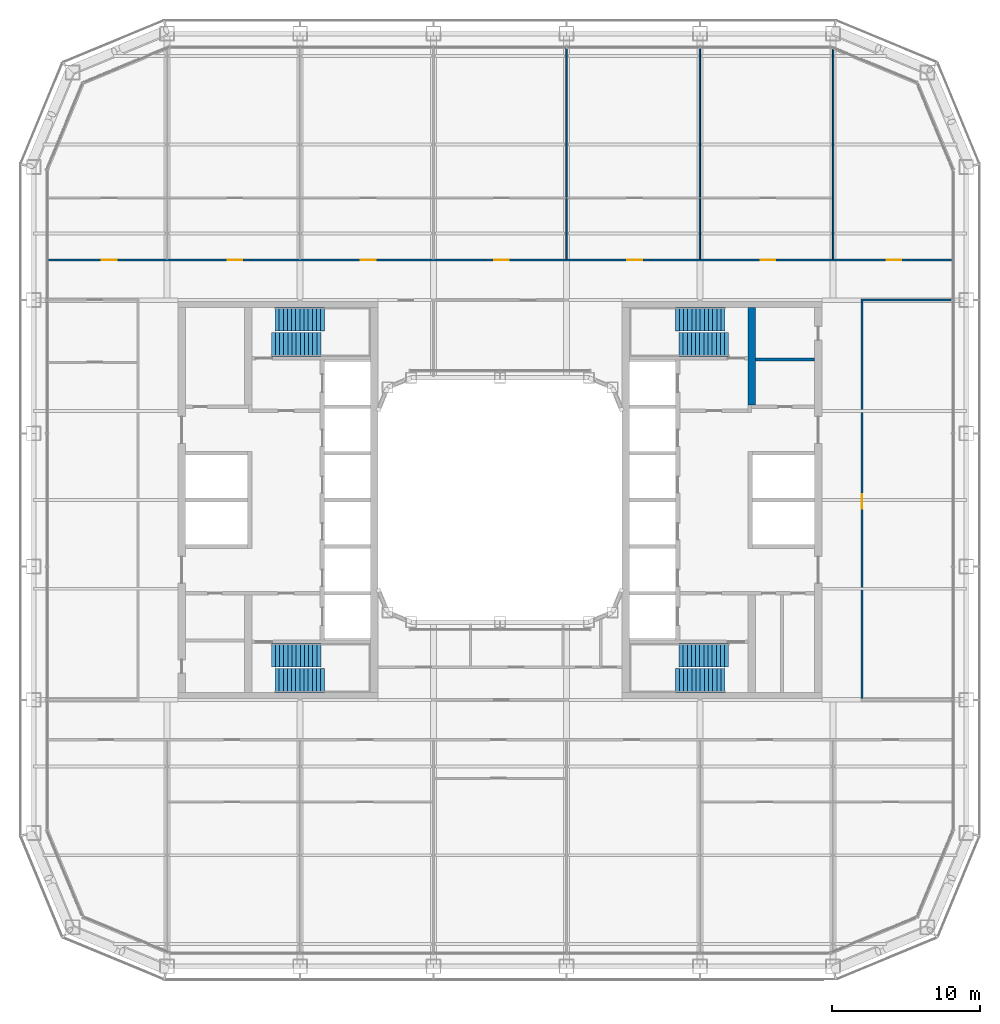
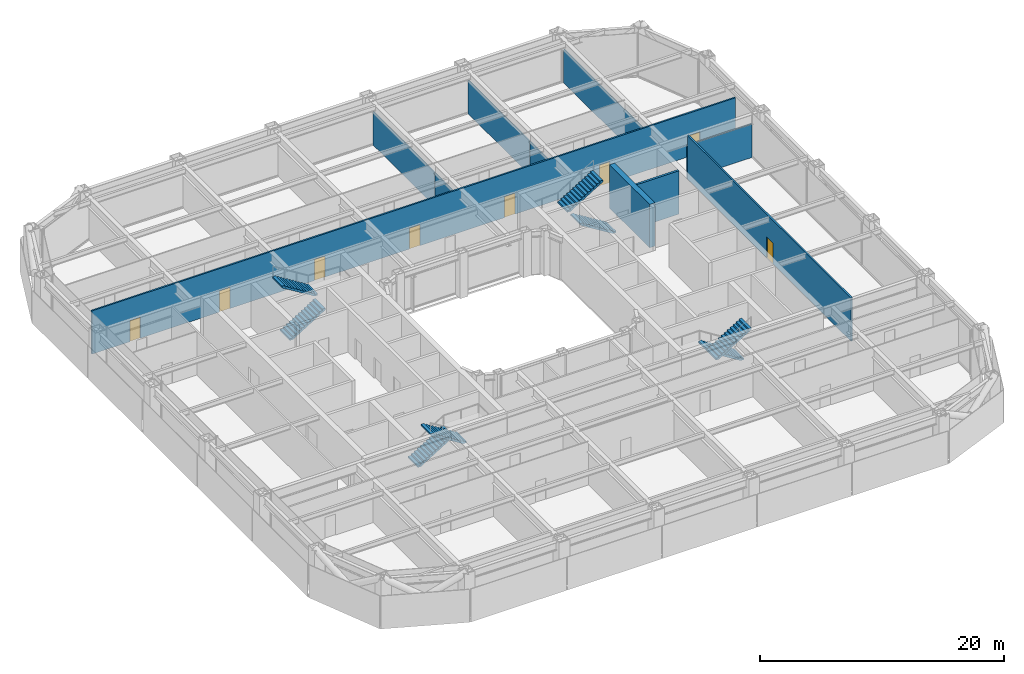
# One storey, part 15 of 24: 10 walls, 8 doors, 8 stair flights, 8 openings, 4 elements without a shape of their own.
"""IFC4 building model written with IfcOpenShell, lengths in metres."""

from ifc_helpers import new_model, si_unit, direction, frame, frame_2d, origin, place, context, subcontext, project, spatial, polyline, rectangle, outline, extrude, material, layer, layer_set, type_object, element, fill, aggregate, save


model = new_model("IFC4")

# Units and contexts
model_context = context("Model", 3, precision=1e-05, world=origin(), true_north=direction((0.0, 1.0)))
body_context = subcontext(model_context, "Body", "Model", "MODEL_VIEW")
ifc_project = project(units=[si_unit("LENGTHUNIT", "METRE"), si_unit("AREAUNIT", "SQUARE_METRE"), si_unit("VOLUMEUNIT", "CUBIC_METRE"), si_unit("PLANEANGLEUNIT", "RADIAN"), si_unit("MASSUNIT", "GRAM", prefix="KILO")], contexts=[model_context])

# Site, building, storey
site_placement = place(None, origin())
site = spatial("IfcSite", under=ifc_project, at=site_placement, CompositionType="ELEMENT")
building_placement = place(site_placement, origin())
building = spatial("IfcBuilding", under=site, at=building_placement, Name="Siwar Civic Tower", CompositionType="ELEMENT")
storey_placement = place(building_placement, frame((0.0, 0.0, 76.199951171875)))
storey = spatial("IfcBuildingStorey", under=building, at=storey_placement, Name="L16", CompositionType="ELEMENT", Elevation=76.199951171875)

# Walls
ifc_material_1 = material(Name="Gypsum board on steel studs", Category="steel")
ifc_layer_1 = layer(ifc_material_1, 0.199951171875)
ifc_layer_set_1 = layer_set([ifc_layer_1], Name="Gypsum board on steel studs")
wall_type_1 = type_object("IfcWallType", Name="CORE-PARTITION-200", PredefinedType="PARTITIONING", material=ifc_layer_set_1)
wall_1_placement = place(storey_placement, frame((17.25, 9.5, 0.0), z_axis=(0.0, 0.0, 1.0), x_axis=(1.0, 0.0, 0.0)))
element("IfcWall", 1, at=wall_1_placement, inside=storey, type_object=wall_type_1, Name="Core partition E", PredefinedType="PARTITIONING", context=body_context, shape_type="SweptSolid", body=[
    extrude(rectangle(XDim=4.0, YDim=0.199951171875, at=frame_2d((2.0, 0.0))), origin(), (0.0, 0.0, 1.0), 4.35009765625),
])
ifc_material_2 = material(Name="Concrete C60/75", Category="concrete")
ifc_layer_2 = layer(ifc_material_2, 0.5)
ifc_layer_set_2 = layer_set([ifc_layer_2], Name="Concrete C60/75")
wall_type_2 = type_object("IfcWallType", Name="CORE-WALL-RC500", PredefinedType="SHEAR", material=ifc_layer_set_2)
wall_2_placement = place(storey_placement, frame((17.0, 6.425048828125, 0.0), z_axis=(0.0, 0.0, 1.0), x_axis=(0.0, 1.0, 0.0)))
element("IfcWall", 2, at=wall_2_placement, inside=storey, type_object=wall_type_2, Name="Core wall E", PredefinedType="SHEAR", context=body_context, shape_type="SweptSolid", body=[
    extrude(rectangle(XDim=6.574951171875, YDim=0.5, at=frame_2d((3.28759765625, 0.0))), origin(), (0.0, 0.0, 1.0), 4.35009765625),
])
ifc_material_3 = material(Name="Gypsum board on steel studs", Category="steel")
ifc_layer_3 = layer(ifc_material_3, 0.14990234375)
ifc_layer_set_3 = layer_set([ifc_layer_3], Name="Gypsum board on steel studs")
wall_type_3 = type_object("IfcWallType", Name="CORRIDOR PARTITION 150 EI 30", PredefinedType="PARTITIONING", material=ifc_layer_set_3)
wall_3_placement = place(storey_placement, frame((24.375, 13.5, 0.0), z_axis=(0.0, 0.0, 1.0), x_axis=(1.0, 0.0, 0.0)))
element("IfcWall", 3, at=wall_3_placement, inside=storey, type_object=wall_type_3, Name="L16/wall/P13", PredefinedType="PARTITIONING", context=body_context, shape_type="SweptSolid", body=[
    extrude(rectangle(XDim=6.135009765625, YDim=0.14990234375, at=frame_2d((3.0673828125, 0.0))), origin(), (0.0, 0.0, 1.0), 3.35009765625),
])

# Wall, openings, doors
wall_4_placement = place(storey_placement, frame((-30.510009765625, 16.199951171875, 0.0), z_axis=(0.0, 0.0, 1.0), x_axis=(1.0, 0.0, 0.0)))
wall_4 = element("IfcWall", 4, at=wall_4_placement, inside=storey, type_object=wall_type_3, Name="L16/wall/P14", PredefinedType="PARTITIONING", context=body_context, shape_type="SweptSolid", body=[
    extrude(rectangle(XDim=61.02001953125, YDim=0.14990234375, at=frame_2d((30.510009765625, 0.0))), origin(), (0.0, 0.0, 1.0), 4.35009765625),
])
opening_1_placement = place(wall_4_placement, frame((12.110107421875, 0.0, 0.0)))
opening_1 = element("IfcOpeningElement", 5, at=opening_1_placement, cuts=wall_4, Name="Opening D1", PredefinedType="OPENING", context=body_context, shape_type="SweptSolid", body=[
    extrude(rectangle(XDim=1.0, YDim=2.10009765625, at=frame_2d((0.5, 1.050048828125))), frame((0.0, 0.0849609375, 0.0), z_axis=(0.0, -1.0, 0.0), x_axis=(1.0, 0.0, 0.0)), (0.0, 0.0, 1.0), 0.169921875),
])
opening_2_placement = place(wall_4_placement, frame((21.110107421875, 0.0, 0.0)))
opening_2 = element("IfcOpeningElement", 6, at=opening_2_placement, cuts=wall_4, Name="Opening D1", PredefinedType="OPENING", context=body_context, shape_type="SweptSolid", body=[
    extrude(rectangle(XDim=1.0, YDim=2.10009765625, at=frame_2d((0.5, 1.050048828125))), frame((0.0, 0.0849609375, 0.0), z_axis=(0.0, -1.0, 0.0), x_axis=(1.0, 0.0, 0.0)), (0.0, 0.0, 1.0), 0.169921875),
])
opening_3_placement = place(wall_4_placement, frame((30.110107421875, 0.0, 0.0)))
opening_3 = element("IfcOpeningElement", 7, at=opening_3_placement, cuts=wall_4, Name="Opening D1", PredefinedType="OPENING", context=body_context, shape_type="SweptSolid", body=[
    extrude(rectangle(XDim=1.0, YDim=2.10009765625, at=frame_2d((0.5, 1.050048828125))), frame((0.0, 0.0849609375, 0.0), z_axis=(0.0, -1.0, 0.0), x_axis=(1.0, 0.0, 0.0)), (0.0, 0.0, 1.0), 0.169921875),
])
opening_4_placement = place(wall_4_placement, frame((39.110107421875, 0.0, 0.0)))
opening_4 = element("IfcOpeningElement", 8, at=opening_4_placement, cuts=wall_4, Name="Opening D1", PredefinedType="OPENING", context=body_context, shape_type="SweptSolid", body=[
    extrude(rectangle(XDim=1.0, YDim=2.10009765625, at=frame_2d((0.5, 1.050048828125))), frame((0.0, 0.0849609375, 0.0), z_axis=(0.0, -1.0, 0.0), x_axis=(1.0, 0.0, 0.0)), (0.0, 0.0, 1.0), 0.169921875),
])
opening_5_placement = place(wall_4_placement, frame((48.110107421875, 0.0, 0.0)))
opening_5 = element("IfcOpeningElement", 9, at=opening_5_placement, cuts=wall_4, Name="Opening D1", PredefinedType="OPENING", context=body_context, shape_type="SweptSolid", body=[
    extrude(rectangle(XDim=1.0, YDim=2.10009765625, at=frame_2d((0.5, 1.050048828125))), frame((0.0, 0.0849609375, 0.0), z_axis=(0.0, -1.0, 0.0), x_axis=(1.0, 0.0, 0.0)), (0.0, 0.0, 1.0), 0.169921875),
])
opening_6_placement = place(wall_4_placement, frame((3.610107421875, 0.0, 0.0)))
opening_6 = element("IfcOpeningElement", 10, at=opening_6_placement, cuts=wall_4, Name="Opening D1", PredefinedType="OPENING", context=body_context, shape_type="SweptSolid", body=[
    extrude(rectangle(XDim=1.0, YDim=2.10009765625, at=frame_2d((0.5, 1.050048828125))), frame((0.0, 0.0849609375, 0.0), z_axis=(0.0, -1.0, 0.0), x_axis=(1.0, 0.0, 0.0)), (0.0, 0.0, 1.0), 0.169921875),
])
opening_7_placement = place(wall_4_placement, frame((56.6201171875, 0.0, 0.0)))
opening_7 = element("IfcOpeningElement", 11, at=opening_7_placement, cuts=wall_4, Name="Opening D1", PredefinedType="OPENING", context=body_context, shape_type="SweptSolid", body=[
    extrude(rectangle(XDim=1.0, YDim=2.10009765625, at=frame_2d((0.5, 1.050048828125))), frame((0.0, 0.0849609375, 0.0), z_axis=(0.0, -1.0, 0.0), x_axis=(1.0, 0.0, 0.0)), (0.0, 0.0, 1.0), 0.169921875),
])
ifc_material_4 = material(Name="Timber, painted", Category="wood")
door_type = type_object("IfcDoorType", Name="DOOR 1000 X 2100 FD30", OperationType="SINGLE_SWING_LEFT", PredefinedType="DOOR", material=ifc_material_4)
door_1_placement = place(opening_1_placement, origin())
door_1 = element("IfcDoor", 12, at=door_1_placement, inside=storey, type_object=door_type, Name="L16-D01", OperationType="SINGLE_SWING_LEFT", OverallHeight=2.10009765625, OverallWidth=1.0, PredefinedType="DOOR", context=body_context, shape_type="SweptSolid", body=[
    extrude(rectangle(XDim=1.0, YDim=2.10009765625, at=frame_2d((0.5, 1.050048828125))), frame((0.0, 0.02490234375, 0.0), z_axis=(0.0, -1.0, 0.0), x_axis=(1.0, 0.0, 0.0)), (0.0, 0.0, 1.0), 0.050048828125),
])
fill(opening_1, door_1)
door_2_placement = place(opening_2_placement, origin())
door_2 = element("IfcDoor", 13, at=door_2_placement, inside=storey, type_object=door_type, Name="L16-D03", OperationType="SINGLE_SWING_LEFT", OverallHeight=2.10009765625, OverallWidth=1.0, PredefinedType="DOOR", context=body_context, shape_type="SweptSolid", body=[
    extrude(rectangle(XDim=1.0, YDim=2.10009765625, at=frame_2d((0.5, 1.050048828125))), frame((0.0, 0.02490234375, 0.0), z_axis=(0.0, -1.0, 0.0), x_axis=(1.0, 0.0, 0.0)), (0.0, 0.0, 1.0), 0.050048828125),
])
fill(opening_2, door_2)
door_3_placement = place(opening_3_placement, origin())
door_3 = element("IfcDoor", 14, at=door_3_placement, inside=storey, type_object=door_type, Name="L16-D05", OperationType="SINGLE_SWING_LEFT", OverallHeight=2.10009765625, OverallWidth=1.0, PredefinedType="DOOR", context=body_context, shape_type="SweptSolid", body=[
    extrude(rectangle(XDim=1.0, YDim=2.10009765625, at=frame_2d((0.5, 1.050048828125))), frame((0.0, 0.02490234375, 0.0), z_axis=(0.0, -1.0, 0.0), x_axis=(1.0, 0.0, 0.0)), (0.0, 0.0, 1.0), 0.050048828125),
])
fill(opening_3, door_3)
door_4_placement = place(opening_4_placement, origin())
door_4 = element("IfcDoor", 15, at=door_4_placement, inside=storey, type_object=door_type, Name="L16-D07", OperationType="SINGLE_SWING_LEFT", OverallHeight=2.10009765625, OverallWidth=1.0, PredefinedType="DOOR", context=body_context, shape_type="SweptSolid", body=[
    extrude(rectangle(XDim=1.0, YDim=2.10009765625, at=frame_2d((0.5, 1.050048828125))), frame((0.0, 0.02490234375, 0.0), z_axis=(0.0, -1.0, 0.0), x_axis=(1.0, 0.0, 0.0)), (0.0, 0.0, 1.0), 0.050048828125),
])
fill(opening_4, door_4)
door_5_placement = place(opening_5_placement, origin())
door_5 = element("IfcDoor", 16, at=door_5_placement, inside=storey, type_object=door_type, Name="L16-D09", OperationType="SINGLE_SWING_LEFT", OverallHeight=2.10009765625, OverallWidth=1.0, PredefinedType="DOOR", context=body_context, shape_type="SweptSolid", body=[
    extrude(rectangle(XDim=1.0, YDim=2.10009765625, at=frame_2d((0.5, 1.050048828125))), frame((0.0, 0.02490234375, 0.0), z_axis=(0.0, -1.0, 0.0), x_axis=(1.0, 0.0, 0.0)), (0.0, 0.0, 1.0), 0.050048828125),
])
fill(opening_5, door_5)
door_6_placement = place(opening_6_placement, origin())
door_6 = element("IfcDoor", 17, at=door_6_placement, inside=storey, type_object=door_type, Name="L16-D20", OperationType="SINGLE_SWING_RIGHT", OverallHeight=2.10009765625, OverallWidth=1.0, PredefinedType="DOOR", context=body_context, shape_type="SweptSolid", body=[
    extrude(rectangle(XDim=1.0, YDim=2.10009765625, at=frame_2d((0.5, 1.050048828125))), frame((0.0, 0.02490234375, 0.0), z_axis=(0.0, -1.0, 0.0), x_axis=(1.0, 0.0, 0.0)), (0.0, 0.0, 1.0), 0.050048828125),
])
fill(opening_6, door_6)
door_7_placement = place(opening_7_placement, origin())
door_7 = element("IfcDoor", 18, at=door_7_placement, inside=storey, type_object=door_type, Name="L16-D22", OperationType="SINGLE_SWING_RIGHT", OverallHeight=2.10009765625, OverallWidth=1.0, PredefinedType="DOOR", context=body_context, shape_type="SweptSolid", body=[
    extrude(rectangle(XDim=1.0, YDim=2.10009765625, at=frame_2d((0.5, 1.050048828125))), frame((0.0, 0.02490234375, 0.0), z_axis=(0.0, -1.0, 0.0), x_axis=(1.0, 0.0, 0.0)), (0.0, 0.0, 1.0), 0.050048828125),
])
fill(opening_7, door_7)

# Wall, opening, door
wall_5_placement = place(storey_placement, frame((24.449951171875, -13.425048828125, 0.0), z_axis=(0.0, 0.0, 1.0), x_axis=(0.0, 1.0, 0.0)))
wall_5 = element("IfcWall", 19, at=wall_5_placement, inside=storey, type_object=wall_type_3, Name="L16/wall/P40", PredefinedType="PARTITIONING", context=body_context, shape_type="SweptSolid", body=[
    extrude(rectangle(XDim=26.85009765625, YDim=0.14990234375, at=frame_2d((13.425048828125, 0.0))), origin(), (0.0, 0.0, 1.0), 4.35009765625),
])
opening_8_placement = place(wall_5_placement, frame((12.824951171875, 0.0, 0.0)))
opening_8 = element("IfcOpeningElement", 20, at=opening_8_placement, cuts=wall_5, Name="Opening D1", PredefinedType="OPENING", context=body_context, shape_type="SweptSolid", body=[
    extrude(rectangle(XDim=1.0, YDim=2.10009765625, at=frame_2d((0.5, 1.050048828125))), frame((0.0, 0.0849609375, 0.0), z_axis=(0.0, -1.0, 0.0), x_axis=(1.0, 0.0, 0.0)), (0.0, 0.0, 1.0), 0.169921875),
])
door_8_placement = place(opening_8_placement, origin())
door_8 = element("IfcDoor", 21, at=door_8_placement, inside=storey, type_object=door_type, Name="L16-D28", OperationType="SINGLE_SWING_RIGHT", OverallHeight=2.10009765625, OverallWidth=1.0, PredefinedType="DOOR", context=body_context, shape_type="SweptSolid", body=[
    extrude(rectangle(XDim=1.0, YDim=2.10009765625, at=frame_2d((0.5, 1.050048828125))), frame((0.0, 0.02490234375, 0.0), z_axis=(0.0, -1.0, 0.0), x_axis=(1.0, 0.0, 0.0)), (0.0, 0.0, 1.0), 0.050048828125),
])
fill(opening_8, door_8)

# Walls
ifc_material_5 = material(Name="Gypsum board on steel studs", Category="steel")
ifc_layer_4 = layer(ifc_material_5, 0.10009765625)
ifc_layer_set_4 = layer_set([ifc_layer_4], Name="Gypsum board on steel studs")
wall_type_4 = type_object("IfcWallType", Name="PARTITION 100 GYPSUM", PredefinedType="PARTITIONING", material=ifc_layer_set_4)
wall_6_placement = place(storey_placement, frame((4.5, 16.27490234375, 0.0), z_axis=(0.0, 0.0, 1.0), x_axis=(0.0, 1.0, 0.0)))
element("IfcWall", 22, at=wall_6_placement, inside=storey, type_object=wall_type_4, Name="L16/wall/P31", PredefinedType="PARTITIONING", context=body_context, shape_type="SweptSolid", body=[
    extrude(rectangle(XDim=4.0751953125, YDim=0.10009765625, at=frame_2d((2.03759765625, 0.0))), origin(), (0.0, 0.0, 1.0), 3.35009765625),
])
wall_7_placement = place(storey_placement, frame((4.5, 20.449951171875, 0.0), z_axis=(0.0, 0.0, 1.0), x_axis=(0.0, 1.0, 0.0)))
element("IfcWall", 23, at=wall_7_placement, inside=storey, type_object=wall_type_4, Name="L16/wall/P32", PredefinedType="PARTITIONING", context=body_context, shape_type="SweptSolid", body=[
    extrude(rectangle(XDim=10.06005859375, YDim=0.10009765625, at=frame_2d((5.030029296875, 0.0))), origin(), (0.0, 0.0, 1.0), 3.35009765625),
])
wall_8_placement = place(storey_placement, frame((13.5, 16.27490234375, 0.0), z_axis=(0.0, 0.0, 1.0), x_axis=(0.0, 1.0, 0.0)))
element("IfcWall", 24, at=wall_8_placement, inside=storey, type_object=wall_type_4, Name="L16/wall/P35", PredefinedType="PARTITIONING", context=body_context, shape_type="SweptSolid", body=[
    extrude(rectangle(XDim=4.0751953125, YDim=0.10009765625, at=frame_2d((2.03759765625, 0.0))), origin(), (0.0, 0.0, 1.0), 3.35009765625),
])
wall_9_placement = place(storey_placement, frame((13.5, 20.449951171875, 0.0), z_axis=(0.0, 0.0, 1.0), x_axis=(0.0, 1.0, 0.0)))
element("IfcWall", 25, at=wall_9_placement, inside=storey, type_object=wall_type_4, Name="L16/wall/P36", PredefinedType="PARTITIONING", context=body_context, shape_type="SweptSolid", body=[
    extrude(rectangle(XDim=10.06005859375, YDim=0.10009765625, at=frame_2d((5.030029296875, 0.0))), origin(), (0.0, 0.0, 1.0), 3.35009765625),
])
wall_10_placement = place(storey_placement, frame((22.5, 16.27490234375, 0.0), z_axis=(0.0, 0.0, 1.0), x_axis=(0.0, 1.0, 0.0)))
element("IfcWall", 26, at=wall_10_placement, inside=storey, type_object=wall_type_4, Name="L16/wall/P39", PredefinedType="PARTITIONING", context=body_context, shape_type="SweptSolid", body=[
    extrude(rectangle(XDim=14.153076171875, YDim=0.10009765625, at=frame_2d((7.07666015625, 0.0))), origin(), (0.0, 0.0, 1.0), 3.35009765625),
])

# Stair, stair flights
ifc_material_6 = material(Name="Concrete C40/50", Category="concrete")
stair_type = type_object("IfcStairType", Name="CORE-STAIR", PredefinedType="TWO_STRAIGHT_RUN_STAIR", material=ifc_material_6)
stair_1_placement = place(storey_placement, origin())
stair_1 = element("IfcStair", 27, at=stair_1_placement, inside=storey, type_object=stair_type, Name="Exit stair ST1", PredefinedType="TWO_STRAIGHT_RUN_STAIR")
ifc_material_7 = material(Name="Concrete C40/50", Category="concrete")
stair_flight_type = type_object("IfcStairFlightType", Name="CORE-STAIR-FLIGHT", PredefinedType="STRAIGHT", material=ifc_material_7)
stair_flight_1_placement = place(storey_placement, frame((-15.449951171875, 10.5, 0.0), z_axis=(0.0, 0.0, 1.0), x_axis=(1.0, 0.0, 0.0)))
stair_flight_1 = element("IfcStairFlight", 28, at=stair_flight_1_placement, type_object=stair_flight_type, Name="ST1 flight 1", NumberOfRisers=13, NumberOfTreads=12, PredefinedType="STRAIGHT", RiserHeight=0.173076923, TreadLength=0.28, context=body_context, shape_type="SweptSolid", body=[
    extrude(outline(polyline([(0.0, 0.0), (0.0, 0.173095703125), (0.280029296875, 0.173095703125), (0.280029296875, 0.34619140625), (0.56005859375, 0.34619140625), (0.56005859375, 0.519287109375), (0.840087890625, 0.519287109375), (0.840087890625, 0.6923828125), (1.1201171875, 0.6923828125), (1.1201171875, 0.865478515625), (1.39990234375, 0.865478515625), (1.39990234375, 1.03857421875), (1.679931640625, 1.03857421875), (1.679931640625, 1.21142578125), (1.9599609375, 1.21142578125), (1.9599609375, 1.384521484375), (2.239990234375, 1.384521484375), (2.239990234375, 1.5576171875), (2.52001953125, 1.5576171875), (2.52001953125, 1.730712890625), (2.800048828125, 1.730712890625), (2.800048828125, 1.90380859375), (3.080078125, 1.90380859375), (3.080078125, 2.076904296875), (3.360107421875, 2.076904296875), (3.360107421875, 2.25), (3.360107421875, 1.900634765625), (0.28515625, 0.0), (0.0, 0.0)])), frame((0.0, 0.800048828125, 0.0), z_axis=(0.0, -1.0, 0.0), x_axis=(1.0, 0.0, 0.0)), (0.0, 0.0, 1.0), 1.60009765625),
])
stair_flight_2_placement = place(storey_placement, frame((-11.840087890625, 12.199951171875, 2.25), z_axis=(0.0, 0.0, 1.0), x_axis=(-1.0, 0.0, 0.0)))
stair_flight_2 = element("IfcStairFlight", 29, at=stair_flight_2_placement, type_object=stair_flight_type, Name="ST1 flight 2", NumberOfRisers=13, NumberOfTreads=12, PredefinedType="STRAIGHT", RiserHeight=0.173076923, TreadLength=0.28, context=body_context, shape_type="SweptSolid", body=[
    extrude(outline(polyline([(0.0, 0.0), (0.0, 0.173095703125), (0.280029296875, 0.173095703125), (0.280029296875, 0.34619140625), (0.56005859375, 0.34619140625), (0.56005859375, 0.519287109375), (0.840087890625, 0.519287109375), (0.840087890625, 0.6923828125), (1.1201171875, 0.6923828125), (1.1201171875, 0.865478515625), (1.39990234375, 0.865478515625), (1.39990234375, 1.03857421875), (1.679931640625, 1.03857421875), (1.679931640625, 1.21142578125), (1.9599609375, 1.21142578125), (1.9599609375, 1.384521484375), (2.239990234375, 1.384521484375), (2.239990234375, 1.5576171875), (2.52001953125, 1.5576171875), (2.52001953125, 1.730712890625), (2.800048828125, 1.730712890625), (2.800048828125, 1.90380859375), (3.080078125, 1.90380859375), (3.080078125, 2.076904296875), (3.360107421875, 2.076904296875), (3.360107421875, 2.25), (3.360107421875, 1.900634765625), (0.28515625, 0.0), (0.0, 0.0)])), frame((0.0, 0.800048828125, 0.0), z_axis=(0.0, -1.0, 0.0), x_axis=(1.0, 0.0, 0.0)), (0.0, 0.0, 1.0), 1.60009765625),
])
aggregate(stair_1, [stair_flight_1, stair_flight_2])

stair_2_placement = place(storey_placement, origin())
stair_2 = element("IfcStair", 30, at=stair_2_placement, inside=storey, type_object=stair_type, Name="Exit stair ST2", PredefinedType="TWO_STRAIGHT_RUN_STAIR")
stair_flight_3_placement = place(storey_placement, frame((-15.449951171875, -10.5, 0.0), z_axis=(0.0, 0.0, 1.0), x_axis=(1.0, 0.0, 0.0)))
stair_flight_3 = element("IfcStairFlight", 31, at=stair_flight_3_placement, type_object=stair_flight_type, Name="ST2 flight 1", NumberOfRisers=13, NumberOfTreads=12, PredefinedType="STRAIGHT", RiserHeight=0.173076923, TreadLength=0.28, context=body_context, shape_type="SweptSolid", body=[
    extrude(outline(polyline([(0.0, 0.0), (0.0, 0.173095703125), (0.280029296875, 0.173095703125), (0.280029296875, 0.34619140625), (0.56005859375, 0.34619140625), (0.56005859375, 0.519287109375), (0.840087890625, 0.519287109375), (0.840087890625, 0.6923828125), (1.1201171875, 0.6923828125), (1.1201171875, 0.865478515625), (1.39990234375, 0.865478515625), (1.39990234375, 1.03857421875), (1.679931640625, 1.03857421875), (1.679931640625, 1.21142578125), (1.9599609375, 1.21142578125), (1.9599609375, 1.384521484375), (2.239990234375, 1.384521484375), (2.239990234375, 1.5576171875), (2.52001953125, 1.5576171875), (2.52001953125, 1.730712890625), (2.800048828125, 1.730712890625), (2.800048828125, 1.90380859375), (3.080078125, 1.90380859375), (3.080078125, 2.076904296875), (3.360107421875, 2.076904296875), (3.360107421875, 2.25), (3.360107421875, 1.900634765625), (0.28515625, 0.0), (0.0, 0.0)])), frame((0.0, 0.800048828125, 0.0), z_axis=(0.0, -1.0, 0.0), x_axis=(1.0, 0.0, 0.0)), (0.0, 0.0, 1.0), 1.60009765625),
])
stair_flight_4_placement = place(storey_placement, frame((-11.840087890625, -12.199951171875, 2.25), z_axis=(0.0, 0.0, 1.0), x_axis=(-1.0, 0.0, 0.0)))
stair_flight_4 = element("IfcStairFlight", 32, at=stair_flight_4_placement, type_object=stair_flight_type, Name="ST2 flight 2", NumberOfRisers=13, NumberOfTreads=12, PredefinedType="STRAIGHT", RiserHeight=0.173076923, TreadLength=0.28, context=body_context, shape_type="SweptSolid", body=[
    extrude(outline(polyline([(0.0, 0.0), (0.0, 0.173095703125), (0.280029296875, 0.173095703125), (0.280029296875, 0.34619140625), (0.56005859375, 0.34619140625), (0.56005859375, 0.519287109375), (0.840087890625, 0.519287109375), (0.840087890625, 0.6923828125), (1.1201171875, 0.6923828125), (1.1201171875, 0.865478515625), (1.39990234375, 0.865478515625), (1.39990234375, 1.03857421875), (1.679931640625, 1.03857421875), (1.679931640625, 1.21142578125), (1.9599609375, 1.21142578125), (1.9599609375, 1.384521484375), (2.239990234375, 1.384521484375), (2.239990234375, 1.5576171875), (2.52001953125, 1.5576171875), (2.52001953125, 1.730712890625), (2.800048828125, 1.730712890625), (2.800048828125, 1.90380859375), (3.080078125, 1.90380859375), (3.080078125, 2.076904296875), (3.360107421875, 2.076904296875), (3.360107421875, 2.25), (3.360107421875, 1.900634765625), (0.28515625, 0.0), (0.0, 0.0)])), frame((0.0, 0.800048828125, 0.0), z_axis=(0.0, -1.0, 0.0), x_axis=(1.0, 0.0, 0.0)), (0.0, 0.0, 1.0), 1.60009765625),
])
aggregate(stair_2, [stair_flight_3, stair_flight_4])

stair_3_placement = place(storey_placement, origin())
stair_3 = element("IfcStair", 33, at=stair_3_placement, inside=storey, type_object=stair_type, Name="Exit stair ST3", PredefinedType="TWO_STRAIGHT_RUN_STAIR")
stair_flight_5_placement = place(storey_placement, frame((15.449951171875, 10.5, 0.0), z_axis=(0.0, 0.0, 1.0), x_axis=(-1.0, 0.0, 0.0)))
stair_flight_5 = element("IfcStairFlight", 34, at=stair_flight_5_placement, type_object=stair_flight_type, Name="ST3 flight 1", NumberOfRisers=13, NumberOfTreads=12, PredefinedType="STRAIGHT", RiserHeight=0.173076923, TreadLength=0.28, context=body_context, shape_type="SweptSolid", body=[
    extrude(outline(polyline([(0.0, 0.0), (0.0, 0.173095703125), (0.280029296875, 0.173095703125), (0.280029296875, 0.34619140625), (0.56005859375, 0.34619140625), (0.56005859375, 0.519287109375), (0.840087890625, 0.519287109375), (0.840087890625, 0.6923828125), (1.1201171875, 0.6923828125), (1.1201171875, 0.865478515625), (1.39990234375, 0.865478515625), (1.39990234375, 1.03857421875), (1.679931640625, 1.03857421875), (1.679931640625, 1.21142578125), (1.9599609375, 1.21142578125), (1.9599609375, 1.384521484375), (2.239990234375, 1.384521484375), (2.239990234375, 1.5576171875), (2.52001953125, 1.5576171875), (2.52001953125, 1.730712890625), (2.800048828125, 1.730712890625), (2.800048828125, 1.90380859375), (3.080078125, 1.90380859375), (3.080078125, 2.076904296875), (3.360107421875, 2.076904296875), (3.360107421875, 2.25), (3.360107421875, 1.900634765625), (0.28515625, 0.0), (0.0, 0.0)])), frame((0.0, 0.800048828125, 0.0), z_axis=(0.0, -1.0, 0.0), x_axis=(1.0, 0.0, 0.0)), (0.0, 0.0, 1.0), 1.60009765625),
])
stair_flight_6_placement = place(storey_placement, frame((11.840087890625, 12.199951171875, 2.25), z_axis=(0.0, 0.0, 1.0), x_axis=(1.0, 0.0, 0.0)))
stair_flight_6 = element("IfcStairFlight", 35, at=stair_flight_6_placement, type_object=stair_flight_type, Name="ST3 flight 2", NumberOfRisers=13, NumberOfTreads=12, PredefinedType="STRAIGHT", RiserHeight=0.173076923, TreadLength=0.28, context=body_context, shape_type="SweptSolid", body=[
    extrude(outline(polyline([(0.0, 0.0), (0.0, 0.173095703125), (0.280029296875, 0.173095703125), (0.280029296875, 0.34619140625), (0.56005859375, 0.34619140625), (0.56005859375, 0.519287109375), (0.840087890625, 0.519287109375), (0.840087890625, 0.6923828125), (1.1201171875, 0.6923828125), (1.1201171875, 0.865478515625), (1.39990234375, 0.865478515625), (1.39990234375, 1.03857421875), (1.679931640625, 1.03857421875), (1.679931640625, 1.21142578125), (1.9599609375, 1.21142578125), (1.9599609375, 1.384521484375), (2.239990234375, 1.384521484375), (2.239990234375, 1.5576171875), (2.52001953125, 1.5576171875), (2.52001953125, 1.730712890625), (2.800048828125, 1.730712890625), (2.800048828125, 1.90380859375), (3.080078125, 1.90380859375), (3.080078125, 2.076904296875), (3.360107421875, 2.076904296875), (3.360107421875, 2.25), (3.360107421875, 1.900634765625), (0.28515625, 0.0), (0.0, 0.0)])), frame((0.0, 0.800048828125, 0.0), z_axis=(0.0, -1.0, 0.0), x_axis=(1.0, 0.0, 0.0)), (0.0, 0.0, 1.0), 1.60009765625),
])
aggregate(stair_3, [stair_flight_5, stair_flight_6])

stair_4_placement = place(storey_placement, origin())
stair_4 = element("IfcStair", 36, at=stair_4_placement, inside=storey, type_object=stair_type, Name="Exit stair ST4", PredefinedType="TWO_STRAIGHT_RUN_STAIR")
stair_flight_7_placement = place(storey_placement, frame((15.449951171875, -10.5, 0.0), z_axis=(0.0, 0.0, 1.0), x_axis=(-1.0, 0.0, 0.0)))
stair_flight_7 = element("IfcStairFlight", 37, at=stair_flight_7_placement, type_object=stair_flight_type, Name="ST4 flight 1", NumberOfRisers=13, NumberOfTreads=12, PredefinedType="STRAIGHT", RiserHeight=0.173076923, TreadLength=0.28, context=body_context, shape_type="SweptSolid", body=[
    extrude(outline(polyline([(0.0, 0.0), (0.0, 0.173095703125), (0.280029296875, 0.173095703125), (0.280029296875, 0.34619140625), (0.56005859375, 0.34619140625), (0.56005859375, 0.519287109375), (0.840087890625, 0.519287109375), (0.840087890625, 0.6923828125), (1.1201171875, 0.6923828125), (1.1201171875, 0.865478515625), (1.39990234375, 0.865478515625), (1.39990234375, 1.03857421875), (1.679931640625, 1.03857421875), (1.679931640625, 1.21142578125), (1.9599609375, 1.21142578125), (1.9599609375, 1.384521484375), (2.239990234375, 1.384521484375), (2.239990234375, 1.5576171875), (2.52001953125, 1.5576171875), (2.52001953125, 1.730712890625), (2.800048828125, 1.730712890625), (2.800048828125, 1.90380859375), (3.080078125, 1.90380859375), (3.080078125, 2.076904296875), (3.360107421875, 2.076904296875), (3.360107421875, 2.25), (3.360107421875, 1.900634765625), (0.28515625, 0.0), (0.0, 0.0)])), frame((0.0, 0.800048828125, 0.0), z_axis=(0.0, -1.0, 0.0), x_axis=(1.0, 0.0, 0.0)), (0.0, 0.0, 1.0), 1.60009765625),
])
stair_flight_8_placement = place(storey_placement, frame((11.840087890625, -12.199951171875, 2.25), z_axis=(0.0, 0.0, 1.0), x_axis=(1.0, 0.0, 0.0)))
stair_flight_8 = element("IfcStairFlight", 38, at=stair_flight_8_placement, type_object=stair_flight_type, Name="ST4 flight 2", NumberOfRisers=13, NumberOfTreads=12, PredefinedType="STRAIGHT", RiserHeight=0.173076923, TreadLength=0.28, context=body_context, shape_type="SweptSolid", body=[
    extrude(outline(polyline([(0.0, 0.0), (0.0, 0.173095703125), (0.280029296875, 0.173095703125), (0.280029296875, 0.34619140625), (0.56005859375, 0.34619140625), (0.56005859375, 0.519287109375), (0.840087890625, 0.519287109375), (0.840087890625, 0.6923828125), (1.1201171875, 0.6923828125), (1.1201171875, 0.865478515625), (1.39990234375, 0.865478515625), (1.39990234375, 1.03857421875), (1.679931640625, 1.03857421875), (1.679931640625, 1.21142578125), (1.9599609375, 1.21142578125), (1.9599609375, 1.384521484375), (2.239990234375, 1.384521484375), (2.239990234375, 1.5576171875), (2.52001953125, 1.5576171875), (2.52001953125, 1.730712890625), (2.800048828125, 1.730712890625), (2.800048828125, 1.90380859375), (3.080078125, 1.90380859375), (3.080078125, 2.076904296875), (3.360107421875, 2.076904296875), (3.360107421875, 2.25), (3.360107421875, 1.900634765625), (0.28515625, 0.0), (0.0, 0.0)])), frame((0.0, 0.800048828125, 0.0), z_axis=(0.0, -1.0, 0.0), x_axis=(1.0, 0.0, 0.0)), (0.0, 0.0, 1.0), 1.60009765625),
])
aggregate(stair_4, [stair_flight_7, stair_flight_8])

save(model, "model.ifc")
